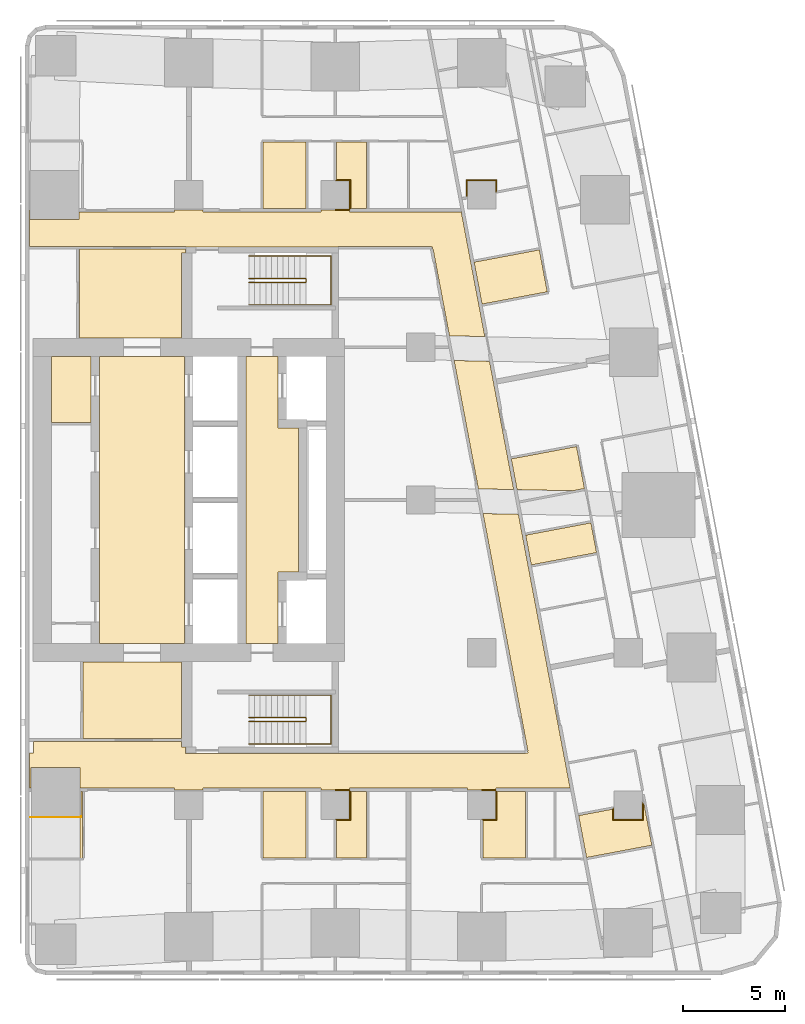
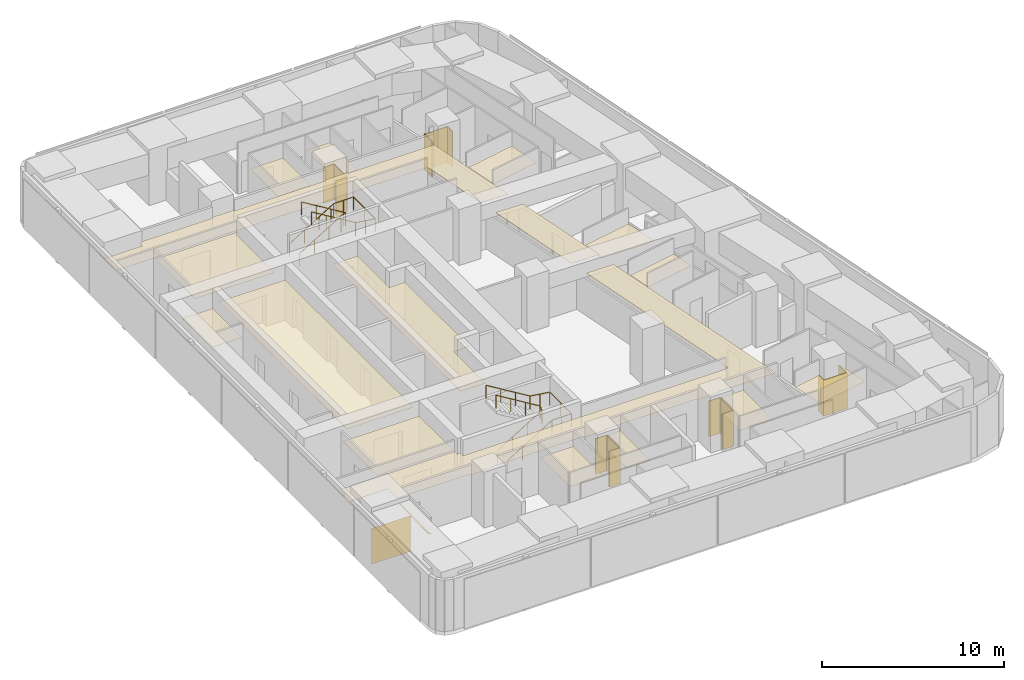
# One storey, part 10 of 10: 24 coverings, 4 railings.
"""IFC4 building model written with IfcOpenShell, lengths in metres."""

from ifc_helpers import new_model, si_unit, direction, frame, origin, origin_2d, place, context, subcontext, project, spatial, polyline, circle, outline, extrude, material, layer, layer_set, type_object, element, save


model = new_model("IFC4")

# Units and contexts
model_context = context("Model", 3, precision=1e-05, world=origin(), true_north=direction((0.0, 1.0)))
body_context = subcontext(model_context, "Body", "Model", "MODEL_VIEW")
ifc_project = project(units=[si_unit("LENGTHUNIT", "METRE"), si_unit("AREAUNIT", "SQUARE_METRE"), si_unit("VOLUMEUNIT", "CUBIC_METRE"), si_unit("PLANEANGLEUNIT", "RADIAN"), si_unit("MASSUNIT", "GRAM", prefix="KILO")], contexts=[model_context])

# Site, building, storey
site_placement = place(None, origin())
site = spatial("IfcSite", under=ifc_project, at=site_placement, CompositionType="ELEMENT")
building_placement = place(site_placement, origin())
building = spatial("IfcBuilding", under=site, at=building_placement, Name="Sheger Commons Tower", CompositionType="ELEMENT")
storey_placement = place(building_placement, frame((0.0, 0.0, 242.449951171875)))
storey = spatial("IfcBuildingStorey", under=building, at=storey_placement, Name="L62", CompositionType="ELEMENT", Elevation=242.449951171875)

# Railings
ifc_material_1 = material(Name="Steel handrail, black powder-coated", Category="steel")
railing_type = type_object("IfcRailingType", Name="HANDRAIL 900", PredefinedType="HANDRAIL", material=ifc_material_1)
railing_1_placement = place(storey_placement, frame((24.550048828125, 11.60009765625, 0.17041015625)))
element("IfcRailing", 1, at=railing_1_placement, inside=storey, type_object=railing_type, Name="Stair S1 handrail L62", PredefinedType="HANDRAIL", context=body_context, shape_type="SweptSolid", body=[
    extrude(circle(Radius=0.02392578125, at=origin_2d()), frame((0.0, 0.0, 0.8759765625), z_axis=(0.854169791009, 0.0, 0.51999420009), x_axis=(0.0, 1.0, 0.0)), (0.0, 0.0, 1.0), 3.278076171875),
    extrude(circle(Radius=0.02392578125, at=origin_2d()), frame((2.800048828125, 0.0, 2.58056640625), z_axis=(0.0, 0.761090297175, 0.648645943136), x_axis=(-1.0, 0.0, 0.0)), (0.0, 0.0, 1.0), 0.2626953125),
    extrude(circle(Radius=0.02392578125, at=origin_2d()), frame((2.800048828125, 0.199951171875, 2.7509765625), z_axis=(-0.854169791009, 0.0, 0.51999420009), x_axis=(0.0, -1.0, 0.0)), (0.0, 0.0, 1.0), 3.278076171875),
    extrude(circle(Radius=0.02099609375, at=origin_2d()), origin(), (0.0, 0.0, 1.0), 0.851806640625),
    extrude(circle(Radius=0.02099609375, at=origin_2d()), frame((0.933349609375, 0.0, 0.568115234375)), (0.0, 0.0, 1.0), 0.851806640625),
    extrude(circle(Radius=0.02099609375, at=origin_2d()), frame((1.86669921875, 0.0, 1.136474609375)), (0.0, 0.0, 1.0), 0.851806640625),
    extrude(circle(Radius=0.02099609375, at=origin_2d()), frame((2.800048828125, 0.0, 1.70458984375)), (0.0, 0.0, 1.0), 0.851806640625),
    extrude(circle(Radius=0.02099609375, at=origin_2d()), frame((2.800048828125, 0.199951171875, 1.875)), (0.0, 0.0, 1.0), 0.851806640625),
    extrude(circle(Radius=0.02099609375, at=origin_2d()), frame((1.86669921875, 0.199951171875, 2.443115234375)), (0.0, 0.0, 1.0), 0.851806640625),
    extrude(circle(Radius=0.02099609375, at=origin_2d()), frame((0.933349609375, 0.199951171875, 3.011474609375)), (0.0, 0.0, 1.0), 0.851806640625),
    extrude(circle(Radius=0.02099609375, at=origin_2d()), frame((0.0, 0.199951171875, 3.57958984375)), (0.0, 0.0, 1.0), 0.851806640625),
])
railing_2_placement = place(storey_placement, frame((24.550048828125, 10.5, 0.17041015625)))
element("IfcRailing", 2, at=railing_2_placement, inside=storey, type_object=railing_type, Name="Stair S1 handrail L62", PredefinedType="HANDRAIL", context=body_context, shape_type="SweptSolid", body=[
    extrude(circle(Radius=0.02392578125, at=origin_2d()), frame((0.0, 0.0, 0.8759765625), z_axis=(0.854169791009, 0.0, 0.51999420009), x_axis=(0.0, 1.0, 0.0)), (0.0, 0.0, 1.0), 3.278076171875),
    extrude(circle(Radius=0.02392578125, at=origin_2d()), frame((2.800048828125, 0.0, 2.58056640625), z_axis=(1.0, 0.0, 0.0), x_axis=(0.0, 1.0, 0.0)), (0.0, 0.0, 1.0), 1.25),
    extrude(circle(Radius=0.02392578125, at=origin_2d()), frame((4.050048828125, 0.0, 2.58056640625), z_axis=(0.0, 1.0, 0.0), x_axis=(-1.0, 0.0, 0.0)), (0.0, 0.0, 1.0), 2.39990234375),
    extrude(circle(Radius=0.02392578125, at=origin_2d()), frame((4.050048828125, 2.39990234375, 2.58056640625), z_axis=(-0.990834877927, 0.0, 0.135078661092), x_axis=(0.0, -1.0, 0.0)), (0.0, 0.0, 1.0), 1.261474609375),
    extrude(circle(Radius=0.02392578125, at=origin_2d()), frame((2.800048828125, 2.39990234375, 2.7509765625), z_axis=(-0.854169791009, 0.0, 0.51999420009), x_axis=(0.0, -1.0, 0.0)), (0.0, 0.0, 1.0), 3.278076171875),
    extrude(circle(Radius=0.02099609375, at=origin_2d()), origin(), (0.0, 0.0, 1.0), 0.851806640625),
    extrude(circle(Radius=0.02099609375, at=origin_2d()), frame((0.933349609375, 0.0, 0.568115234375)), (0.0, 0.0, 1.0), 0.851806640625),
    extrude(circle(Radius=0.02099609375, at=origin_2d()), frame((1.86669921875, 0.0, 1.136474609375)), (0.0, 0.0, 1.0), 0.851806640625),
    extrude(circle(Radius=0.02099609375, at=origin_2d()), frame((2.800048828125, 0.0, 1.70458984375)), (0.0, 0.0, 1.0), 0.851806640625),
    extrude(circle(Radius=0.02099609375, at=origin_2d()), frame((3.425048828125, 0.0, 1.70458984375)), (0.0, 0.0, 1.0), 0.851806640625),
    extrude(circle(Radius=0.02099609375, at=origin_2d()), frame((4.050048828125, 0.0, 1.70458984375)), (0.0, 0.0, 1.0), 0.851806640625),
    extrude(circle(Radius=0.02099609375, at=origin_2d()), frame((4.050048828125, 1.199951171875, 1.70458984375)), (0.0, 0.0, 1.0), 0.851806640625),
    extrude(circle(Radius=0.02099609375, at=origin_2d()), frame((4.050048828125, 2.39990234375, 1.70458984375)), (0.0, 0.0, 1.0), 0.851806640625),
    extrude(circle(Radius=0.02099609375, at=origin_2d()), frame((3.425048828125, 2.39990234375, 1.789794921875)), (0.0, 0.0, 1.0), 0.851806640625),
    extrude(circle(Radius=0.02099609375, at=origin_2d()), frame((2.800048828125, 2.39990234375, 1.875)), (0.0, 0.0, 1.0), 0.851806640625),
    extrude(circle(Radius=0.02099609375, at=origin_2d()), frame((1.86669921875, 2.39990234375, 2.443115234375)), (0.0, 0.0, 1.0), 0.851806640625),
    extrude(circle(Radius=0.02099609375, at=origin_2d()), frame((0.933349609375, 2.39990234375, 3.011474609375)), (0.0, 0.0, 1.0), 0.851806640625),
    extrude(circle(Radius=0.02099609375, at=origin_2d()), frame((0.0, 2.39990234375, 3.57958984375)), (0.0, 0.0, 1.0), 0.851806640625),
])
railing_3_placement = place(storey_placement, frame((24.550048828125, 33.39990234375, 0.17041015625)))
element("IfcRailing", 3, at=railing_3_placement, inside=storey, type_object=railing_type, Name="Stair S2 handrail L62", PredefinedType="HANDRAIL", context=body_context, shape_type="SweptSolid", body=[
    extrude(circle(Radius=0.02392578125, at=origin_2d()), frame((0.0, 0.0, 0.8759765625), z_axis=(0.854169791009, 0.0, 0.51999420009), x_axis=(0.0, 1.0, 0.0)), (0.0, 0.0, 1.0), 3.278076171875),
    extrude(circle(Radius=0.02392578125, at=origin_2d()), frame((2.800048828125, 0.0, 2.58056640625), z_axis=(0.0, -0.761090297175, 0.648645943136), x_axis=(1.0, 0.0, 0.0)), (0.0, 0.0, 1.0), 0.2626953125),
    extrude(circle(Radius=0.02392578125, at=origin_2d()), frame((2.800048828125, -0.199951171875, 2.7509765625), z_axis=(-0.854169791009, 0.0, 0.51999420009), x_axis=(0.0, -1.0, 0.0)), (0.0, 0.0, 1.0), 3.278076171875),
    extrude(circle(Radius=0.02099609375, at=origin_2d()), origin(), (0.0, 0.0, 1.0), 0.851806640625),
    extrude(circle(Radius=0.02099609375, at=origin_2d()), frame((0.933349609375, 0.0, 0.568115234375)), (0.0, 0.0, 1.0), 0.851806640625),
    extrude(circle(Radius=0.02099609375, at=origin_2d()), frame((1.86669921875, 0.0, 1.136474609375)), (0.0, 0.0, 1.0), 0.851806640625),
    extrude(circle(Radius=0.02099609375, at=origin_2d()), frame((2.800048828125, 0.0, 1.70458984375)), (0.0, 0.0, 1.0), 0.851806640625),
    extrude(circle(Radius=0.02099609375, at=origin_2d()), frame((2.800048828125, -0.199951171875, 1.875)), (0.0, 0.0, 1.0), 0.851806640625),
    extrude(circle(Radius=0.02099609375, at=origin_2d()), frame((1.86669921875, -0.199951171875, 2.443115234375)), (0.0, 0.0, 1.0), 0.851806640625),
    extrude(circle(Radius=0.02099609375, at=origin_2d()), frame((0.933349609375, -0.199951171875, 3.011474609375)), (0.0, 0.0, 1.0), 0.851806640625),
    extrude(circle(Radius=0.02099609375, at=origin_2d()), frame((0.0, -0.199951171875, 3.57958984375)), (0.0, 0.0, 1.0), 0.851806640625),
])
railing_4_placement = place(storey_placement, frame((24.550048828125, 34.5, 0.17041015625)))
element("IfcRailing", 4, at=railing_4_placement, inside=storey, type_object=railing_type, Name="Stair S2 handrail L62", PredefinedType="HANDRAIL", context=body_context, shape_type="SweptSolid", body=[
    extrude(circle(Radius=0.02392578125, at=origin_2d()), frame((0.0, 0.0, 0.8759765625), z_axis=(0.854169791009, 0.0, 0.51999420009), x_axis=(0.0, 1.0, 0.0)), (0.0, 0.0, 1.0), 3.278076171875),
    extrude(circle(Radius=0.02392578125, at=origin_2d()), frame((2.800048828125, 0.0, 2.58056640625), z_axis=(1.0, 0.0, 0.0), x_axis=(0.0, 1.0, 0.0)), (0.0, 0.0, 1.0), 1.25),
    extrude(circle(Radius=0.02392578125, at=origin_2d()), frame((4.050048828125, 0.0, 2.58056640625), z_axis=(0.0, -1.0, 0.0), x_axis=(1.0, 0.0, 0.0)), (0.0, 0.0, 1.0), 2.39990234375),
    extrude(circle(Radius=0.02392578125, at=origin_2d()), frame((4.050048828125, -2.39990234375, 2.58056640625), z_axis=(-0.990834877927, 0.0, 0.135078661092), x_axis=(0.0, -1.0, 0.0)), (0.0, 0.0, 1.0), 1.261474609375),
    extrude(circle(Radius=0.02392578125, at=origin_2d()), frame((2.800048828125, -2.39990234375, 2.7509765625), z_axis=(-0.854169791009, 0.0, 0.51999420009), x_axis=(0.0, -1.0, 0.0)), (0.0, 0.0, 1.0), 3.278076171875),
    extrude(circle(Radius=0.02099609375, at=origin_2d()), origin(), (0.0, 0.0, 1.0), 0.851806640625),
    extrude(circle(Radius=0.02099609375, at=origin_2d()), frame((0.933349609375, 0.0, 0.568115234375)), (0.0, 0.0, 1.0), 0.851806640625),
    extrude(circle(Radius=0.02099609375, at=origin_2d()), frame((1.86669921875, 0.0, 1.136474609375)), (0.0, 0.0, 1.0), 0.851806640625),
    extrude(circle(Radius=0.02099609375, at=origin_2d()), frame((2.800048828125, 0.0, 1.70458984375)), (0.0, 0.0, 1.0), 0.851806640625),
    extrude(circle(Radius=0.02099609375, at=origin_2d()), frame((3.425048828125, 0.0, 1.70458984375)), (0.0, 0.0, 1.0), 0.851806640625),
    extrude(circle(Radius=0.02099609375, at=origin_2d()), frame((4.050048828125, 0.0, 1.70458984375)), (0.0, 0.0, 1.0), 0.851806640625),
    extrude(circle(Radius=0.02099609375, at=origin_2d()), frame((4.050048828125, -1.199951171875, 1.70458984375)), (0.0, 0.0, 1.0), 0.851806640625),
    extrude(circle(Radius=0.02099609375, at=origin_2d()), frame((4.050048828125, -2.39990234375, 1.70458984375)), (0.0, 0.0, 1.0), 0.851806640625),
    extrude(circle(Radius=0.02099609375, at=origin_2d()), frame((3.425048828125, -2.39990234375, 1.789794921875)), (0.0, 0.0, 1.0), 0.851806640625),
    extrude(circle(Radius=0.02099609375, at=origin_2d()), frame((2.800048828125, -2.39990234375, 1.875)), (0.0, 0.0, 1.0), 0.851806640625),
    extrude(circle(Radius=0.02099609375, at=origin_2d()), frame((1.86669921875, -2.39990234375, 2.443115234375)), (0.0, 0.0, 1.0), 0.851806640625),
    extrude(circle(Radius=0.02099609375, at=origin_2d()), frame((0.933349609375, -2.39990234375, 3.011474609375)), (0.0, 0.0, 1.0), 0.851806640625),
    extrude(circle(Radius=0.02099609375, at=origin_2d()), frame((0.0, -2.39990234375, 3.57958984375)), (0.0, 0.0, 1.0), 0.851806640625),
])

# Coverings
ifc_material_2 = material(Name="Moisture-resistant gypsum plasterboard 15 mm on a suspended galvanised steel grid", Category="steel")
ifc_layer_1 = layer(ifc_material_2, 0.014892578125)
ifc_layer_set_1 = layer_set([ifc_layer_1], Name="MOISTURE-RESISTANT CEILING 15")
covering_type_1 = type_object("IfcCoveringType", Name="MOISTURE-RESISTANT CEILING 15", PredefinedType="CEILING", material=ifc_layer_set_1)
covering_1_placement = place(storey_placement, frame((0.0, 0.0, 2.400146484375)))
element("IfcCovering", 5, at=covering_1_placement, inside=storey, type_object=covering_type_1, Name="L62-01.B1 ceiling", PredefinedType="CEILING", context=body_context, shape_type="SweptSolid", body=[
    extrude(outline(polyline([(16.259033203125, 4.85009765625), (16.428955078125, 4.85009765625), (16.428955078125, 4.89501953125), (16.3740234375, 4.89501953125), (16.3740234375, 8.169921875), (16.303955078125, 8.169921875), (16.303955078125, 6.9541015625), (16.2958984375, 6.926025390625), (16.27294921875, 6.907958984375), (16.259033203125, 6.907958984375), (16.259033203125, 4.85009765625)])), origin(), (0.0, 0.0, 1.0), 0.014892578125),
])
covering_2_placement = place(storey_placement, frame((0.0, 0.0, 2.400146484375)))
element("IfcCovering", 6, at=covering_2_placement, inside=storey, type_object=covering_type_1, Name="L62-02.B1 ceiling", PredefinedType="CEILING", context=body_context, shape_type="SweptSolid", body=[
    extrude(outline(polyline([(25.2548828125, 4.905029296875), (27.35498046875, 4.905029296875), (27.35498046875, 8.169921875), (25.2548828125, 8.169921875), (25.2548828125, 4.905029296875)])), origin(), (0.0, 0.0, 1.0), 0.014892578125),
])
covering_3_placement = place(storey_placement, frame((0.0, 0.0, 2.400146484375)))
element("IfcCovering", 7, at=covering_3_placement, inside=storey, type_object=covering_type_1, Name="L62-02.B2 ceiling", PredefinedType="CEILING", context=body_context, shape_type="SweptSolid", body=[
    extrude(outline(polyline([(28.85498046875, 4.905029296875), (30.344970703125, 4.905029296875), (30.344970703125, 8.169921875), (29.5048828125, 8.169921875), (29.5048828125, 6.794921875), (28.85498046875, 6.794921875), (28.85498046875, 4.905029296875)])), origin(), (0.0, 0.0, 1.0), 0.014892578125),
])
covering_4_placement = place(storey_placement, frame((0.0, 0.0, 2.400146484375)))
element("IfcCovering", 8, at=covering_4_placement, inside=storey, type_object=covering_type_1, Name="L62-03.B1 ceiling", PredefinedType="CEILING", context=body_context, shape_type="SweptSolid", body=[
    extrude(outline(polyline([(36.054931640625, 4.905029296875), (38.155029296875, 4.905029296875), (38.155029296875, 8.169921875), (36.705078125, 8.169921875), (36.705078125, 6.794921875), (36.054931640625, 6.794921875), (36.054931640625, 4.905029296875)])), origin(), (0.0, 0.0, 1.0), 0.014892578125),
])
covering_5_placement = place(storey_placement, frame((0.0, 0.0, 2.400146484375)))
element("IfcCovering", 9, at=covering_5_placement, inside=storey, type_object=covering_type_1, Name="L62-04.B1 ceiling", PredefinedType="CEILING", context=body_context, shape_type="SweptSolid", body=[
    extrude(outline(polyline([(36.01708984375, 32.1298828125), (39.22412109375, 32.736083984375), (38.833984375, 34.800048828125), (35.626953125, 34.194091796875), (36.01708984375, 32.1298828125)])), origin(), (0.0, 0.0, 1.0), 0.014892578125),
])
covering_6_placement = place(storey_placement, frame((0.0, 0.0, 2.400146484375)))
element("IfcCovering", 10, at=covering_6_placement, inside=storey, type_object=covering_type_1, Name="L62-05.B1 ceiling", PredefinedType="CEILING", context=body_context, shape_type="SweptSolid", body=[
    extrude(outline(polyline([(40.468017578125, 22.9541015625), (41.052001953125, 23.06396484375), (40.662109375, 25.1279296875), (37.4541015625, 24.52197265625), (37.739013671875, 23.009033203125), (40.468017578125, 22.9541015625)])), origin(), (0.0, 0.0, 1.0), 0.014892578125),
])
covering_7_placement = place(storey_placement, frame((0.0, 0.0, 2.400146484375)))
element("IfcCovering", 11, at=covering_7_placement, inside=storey, type_object=covering_type_1, Name="L62-05.B2 ceiling", PredefinedType="CEILING", context=body_context, shape_type="SweptSolid", body=[
    extrude(outline(polyline([(38.43798828125, 19.30810546875), (41.64697265625, 19.9140625), (41.37109375, 21.3779296875), (38.162109375, 20.77197265625), (38.43798828125, 19.30810546875)])), origin(), (0.0, 0.0, 1.0), 0.014892578125),
])
covering_8_placement = place(storey_placement, frame((0.0, 0.0, 2.400146484375)))
element("IfcCovering", 12, at=covering_8_placement, inside=storey, type_object=covering_type_1, Name="L62-06.B1 ceiling", PredefinedType="CEILING", context=body_context, shape_type="SweptSolid", body=[
    extrude(outline(polyline([(41.156005859375, 4.9208984375), (44.364013671875, 5.527099609375), (43.97412109375, 7.591064453125), (43.9150390625, 7.580078125), (43.906982421875, 7.623046875), (43.905029296875, 7.623046875), (43.905029296875, 6.794921875), (42.4951171875, 6.794921875), (42.4951171875, 7.31201171875), (40.76611328125, 6.985107421875), (41.156005859375, 4.9208984375)])), origin(), (0.0, 0.0, 1.0), 0.014892578125),
])
covering_9_placement = place(storey_placement, frame((0.0, 0.0, 2.400146484375)))
element("IfcCovering", 13, at=covering_9_placement, inside=storey, type_object=covering_type_1, Name="L62-08.B1 ceiling", PredefinedType="CEILING", context=body_context, shape_type="SweptSolid", body=[
    extrude(outline(polyline([(25.2548828125, 36.830078125), (27.35498046875, 36.830078125), (27.35498046875, 40.094970703125), (25.2548828125, 40.094970703125), (25.2548828125, 36.830078125)])), origin(), (0.0, 0.0, 1.0), 0.014892578125),
])
covering_10_placement = place(storey_placement, frame((0.0, 0.0, 2.400146484375)))
element("IfcCovering", 14, at=covering_10_placement, inside=storey, type_object=covering_type_1, Name="L62-08.B2 ceiling", PredefinedType="CEILING", context=body_context, shape_type="SweptSolid", body=[
    extrude(outline(polyline([(29.5048828125, 36.830078125), (30.344970703125, 36.830078125), (30.344970703125, 40.094970703125), (28.85498046875, 40.094970703125), (28.85498046875, 38.205078125), (29.5048828125, 38.205078125), (29.5048828125, 36.830078125)])), origin(), (0.0, 0.0, 1.0), 0.014892578125),
])
covering_11_placement = place(storey_placement, frame((0.0, 0.0, 2.400146484375)))
element("IfcCovering", 15, at=covering_11_placement, inside=storey, type_object=covering_type_1, Name="L62-CRB2 ceiling", PredefinedType="CEILING", context=body_context, shape_type="SweptSolid", body=[
    extrude(outline(polyline([(14.85498046875, 26.31689453125), (16.794921875, 26.31689453125), (16.794921875, 29.544921875), (14.85498046875, 29.544921875), (14.85498046875, 26.31689453125)])), origin(), (0.0, 0.0, 1.0), 0.014892578125),
])
ifc_material_3 = material(Name="Gypsum plasterboard 15 mm on a suspended steel grid", Category="steel")
ifc_layer_2 = layer(ifc_material_3, 0.014892578125)
ifc_layer_set_2 = layer_set([ifc_layer_2], Name="SUSPENDED CEILING 15")
covering_type_2 = type_object("IfcCoveringType", Name="SUSPENDED CEILING 15", PredefinedType="CEILING", material=ifc_layer_set_2)
covering_12_placement = place(storey_placement, frame((0.0, 0.0, 2.699951171875)))
element("IfcCovering", 16, at=covering_12_placement, inside=storey, type_object=covering_type_2, Name="L62-CO ceiling", PredefinedType="CEILING", context=body_context, shape_type="SweptSolid", body=[
    extrude(outline(polyline([(20.904052734375, 8.25), (22.2958984375, 8.25), (22.2958984375, 8.330078125), (28.10400390625, 8.330078125), (28.10400390625, 8.25), (29.49609375, 8.25), (29.49609375, 8.330078125), (35.303955078125, 8.330078125), (35.303955078125, 8.25), (36.696044921875, 8.25), (36.696044921875, 8.330078125), (40.34912109375, 8.330078125), (37.804931640625, 21.798095703125), (36.06591796875, 21.8330078125), (38.26904296875, 10.1708984375), (38.251953125, 10.1669921875), (38.27392578125, 10.050048828125), (38.14306640625, 10.050048828125), (38.14306640625, 10.031982421875), (28.945068359375, 10.031982421875), (28.945068359375, 10.044921875), (21.445068359375, 10.044921875), (21.445068359375, 10.344970703125), (21.2451171875, 10.344970703125), (21.2451171875, 10.632080078125), (13.9599609375, 10.632080078125), (13.9599609375, 10.050048828125), (13.7548828125, 10.050048828125), (13.7548828125, 8.330078125), (13.84912109375, 8.330078125), (13.84912109375, 9.35888671875), (16.259033203125, 9.35888671875), (16.259033203125, 8.330078125), (20.904052734375, 8.330078125), (20.904052734375, 8.25)])), origin(), (0.0, 0.0, 1.0), 0.01513671875),
])
covering_13_placement = place(storey_placement, frame((0.0, 0.0, 2.699951171875)))
element("IfcCovering", 17, at=covering_13_placement, inside=storey, type_object=covering_type_2, Name="L62-CO ceiling", PredefinedType="CEILING", context=body_context, shape_type="SweptSolid", body=[
    extrude(outline(polyline([(37.575927734375, 23.011962890625), (36.385009765625, 29.318115234375), (34.64501953125, 29.35791015625), (35.8369140625, 23.048095703125), (37.575927734375, 23.011962890625)])), origin(), (0.0, 0.0, 1.0), 0.01513671875),
])
covering_14_placement = place(storey_placement, frame((0.0, 0.0, 2.699951171875)))
element("IfcCovering", 18, at=covering_14_placement, inside=storey, type_object=covering_type_2, Name="L62-CO ceiling", PredefinedType="CEILING", context=body_context, shape_type="SweptSolid", body=[
    extrude(outline(polyline([(36.155029296875, 30.533935546875), (34.98095703125, 36.75), (34.97705078125, 36.75), (34.97705078125, 36.669921875), (29.49609375, 36.669921875), (29.49609375, 36.75), (28.10400390625, 36.75), (28.10400390625, 36.669921875), (22.2958984375, 36.669921875), (22.2958984375, 36.75), (20.904052734375, 36.75), (20.904052734375, 36.669921875), (16.205078125, 36.669921875), (16.205078125, 36.294921875), (13.794921875, 36.294921875), (13.794921875, 36.75), (13.7548828125, 36.75), (13.7548828125, 34.968017578125), (21.455078125, 34.968017578125), (21.455078125, 34.949951171875), (28.945068359375, 34.949951171875), (28.945068359375, 34.968017578125), (33.54296875, 34.968017578125), (33.54296875, 34.949951171875), (33.571044921875, 34.949951171875), (33.589111328125, 34.85205078125), (33.60595703125, 34.85498046875), (34.4150390625, 30.572998046875), (36.155029296875, 30.533935546875)])), origin(), (0.0, 0.0, 1.0), 0.01513671875),
])
covering_15_placement = place(storey_placement, frame((0.0, 0.0, 2.699951171875)))
element("IfcCovering", 19, at=covering_15_placement, inside=storey, type_object=covering_type_2, Name="L62-SVS1 ceiling", PredefinedType="CEILING", context=body_context, shape_type="SweptSolid", body=[
    extrude(outline(polyline([(16.406982421875, 10.76806640625), (21.2451171875, 10.76806640625), (21.2451171875, 14.544921875), (16.406982421875, 14.544921875), (16.406982421875, 10.76806640625)])), origin(), (0.0, 0.0, 1.0), 0.01513671875),
])
covering_16_placement = place(storey_placement, frame((0.0, 0.0, 2.699951171875)))
element("IfcCovering", 20, at=covering_16_placement, inside=storey, type_object=covering_type_2, Name="L62-SVN1 ceiling", PredefinedType="CEILING", context=body_context, shape_type="SweptSolid", body=[
    extrude(outline(polyline([(16.217041015625, 30.455078125), (21.2451171875, 30.455078125), (21.2451171875, 34.655029296875), (21.445068359375, 34.655029296875), (21.445068359375, 34.83203125), (16.217041015625, 34.83203125), (16.217041015625, 30.455078125)])), origin(), (0.0, 0.0, 1.0), 0.01513671875),
])
covering_17_placement = place(storey_placement, frame((0.0, 0.0, 2.699951171875)))
element("IfcCovering", 21, at=covering_17_placement, inside=storey, type_object=covering_type_2, Name="L62-LL ceiling", PredefinedType="CEILING", context=body_context, shape_type="SweptSolid", body=[
    extrude(outline(polyline([(17.205078125, 15.455078125), (21.39990234375, 15.455078125), (21.39990234375, 29.544921875), (17.205078125, 29.544921875), (17.205078125, 15.455078125)])), origin(), (0.0, 0.0, 1.0), 0.01513671875),
])
covering_18_placement = place(storey_placement, frame((0.0, 0.0, 2.699951171875)))
element("IfcCovering", 22, at=covering_18_placement, inside=storey, type_object=covering_type_2, Name="L62-FL ceiling", PredefinedType="CEILING", context=body_context, shape_type="SweptSolid", body=[
    extrude(outline(polyline([(24.405029296875, 15.455078125), (25.9951171875, 15.455078125), (25.9951171875, 18.955078125), (26.9951171875, 18.955078125), (26.9951171875, 26.044921875), (25.9951171875, 26.044921875), (25.9951171875, 29.544921875), (24.405029296875, 29.544921875), (24.405029296875, 15.455078125)])), origin(), (0.0, 0.0, 1.0), 0.01513671875),
])
ifc_material_4 = material(Name="Moisture-resistant gypsum board 12.5 mm on 25 mm treated timber battens, tanked and tiled", Category="wood")
ifc_layer_3 = layer(ifc_material_4, 0.050048828125)
ifc_layer_set_3 = layer_set([ifc_layer_3], Name="WET-ROOM COLUMN LINING")
covering_type_3 = type_object("IfcCoveringType", Name="WET-ROOM COLUMN LINING", PredefinedType="CLADDING", material=ifc_layer_set_3)
covering_19_placement = place(storey_placement, origin())
element("IfcCovering", 23, at=covering_19_placement, inside=storey, type_object=covering_type_3, Name="Shower room column lining C5 L62", PredefinedType="CLADDING", context=body_context, shape_type="SweptSolid", body=[
    extrude(outline(polyline([(16.27294921875, 6.907958984375), (16.2958984375, 6.926025390625), (16.303955078125, 6.9541015625), (16.303955078125, 8.175048828125), (16.303955078125, 6.904052734375), (13.803955078125, 6.904052734375), (16.27294921875, 6.907958984375)])), origin(), (0.0, 0.0, 1.0), 2.400146484375),
])
covering_20_placement = place(storey_placement, origin())
element("IfcCovering", 24, at=covering_20_placement, inside=storey, type_object=covering_type_3, Name="Shower room column lining C11 L62", PredefinedType="CLADDING", context=body_context, shape_type="SweptSolid", body=[
    extrude(outline(polyline([(29.550048828125, 6.75), (28.85009765625, 6.75), (28.85009765625, 6.799072265625), (28.800048828125, 6.799072265625), (28.800048828125, 6.800048828125), (29.5, 6.800048828125), (29.5, 8.199951171875), (28.800048828125, 8.199951171875), (28.800048828125, 8.25), (29.5009765625, 8.25), (29.5009765625, 8.175048828125), (29.550048828125, 8.175048828125), (29.550048828125, 6.75)])), origin(), (0.0, 0.0, 1.0), 2.400146484375),
])
covering_21_placement = place(storey_placement, origin())
element("IfcCovering", 25, at=covering_21_placement, inside=storey, type_object=covering_type_3, Name="Bathroom column lining C11 L62", PredefinedType="CLADDING", context=body_context, shape_type="SweptSolid", body=[
    extrude(outline(polyline([(36.75, 6.75), (36.050048828125, 6.75), (36.050048828125, 6.799072265625), (36.0, 6.799072265625), (36.0, 6.800048828125), (36.699951171875, 6.800048828125), (36.699951171875, 8.199951171875), (36.0, 8.199951171875), (36.0, 8.25), (36.700927734375, 8.25), (36.700927734375, 8.175048828125), (36.75, 8.175048828125), (36.75, 6.75)])), origin(), (0.0, 0.0, 1.0), 2.400146484375),
])
covering_22_placement = place(storey_placement, origin())
element("IfcCovering", 26, at=covering_22_placement, inside=storey, type_object=covering_type_3, Name="Bathroom column lining C11 L62", PredefinedType="CLADDING", context=body_context, shape_type="SweptSolid", body=[
    extrude(outline(polyline([(42.5, 7.367919921875), (42.5, 6.800048828125), (43.89990234375, 6.800048828125), (43.89990234375, 7.633056640625), (43.909912109375, 7.635009765625), (43.9189453125, 7.5859375), (43.949951171875, 7.592041015625), (43.949951171875, 6.75), (42.449951171875, 6.75), (42.449951171875, 7.30908203125), (42.4990234375, 7.318115234375), (42.489990234375, 7.365966796875), (42.5, 7.367919921875)])), origin(), (0.0, 0.0, 1.0), 2.400146484375),
])
covering_23_placement = place(storey_placement, origin())
element("IfcCovering", 27, at=covering_23_placement, inside=storey, type_object=covering_type_3, Name="Shower room column lining C11 L62", PredefinedType="CLADDING", context=body_context, shape_type="SweptSolid", body=[
    extrude(outline(polyline([(29.550048828125, 36.824951171875), (29.5009765625, 36.824951171875), (29.5009765625, 36.75), (28.800048828125, 36.75), (28.800048828125, 36.800048828125), (29.5, 36.800048828125), (29.5, 38.199951171875), (28.800048828125, 38.199951171875), (28.800048828125, 38.200927734375), (28.85009765625, 38.200927734375), (28.85009765625, 38.25), (29.550048828125, 38.25), (29.550048828125, 36.824951171875)])), origin(), (0.0, 0.0, 1.0), 2.400146484375),
])
covering_24_placement = place(storey_placement, origin())
element("IfcCovering", 28, at=covering_24_placement, inside=storey, type_object=covering_type_3, Name="Laundry room column lining C11 L62", PredefinedType="CLADDING", context=body_context, shape_type="SweptSolid", body=[
    extrude(outline(polyline([(36.75, 38.25), (36.75, 37.69189453125), (36.700927734375, 37.68310546875), (36.7099609375, 37.635009765625), (36.699951171875, 37.633056640625), (36.699951171875, 38.199951171875), (35.300048828125, 38.199951171875), (35.300048828125, 37.367919921875), (35.2900390625, 37.365966796875), (35.281005859375, 37.4150390625), (35.25, 37.408935546875), (35.25, 38.25), (36.75, 38.25)])), origin(), (0.0, 0.0, 1.0), 2.400146484375),
])

save(model, "model.ifc")
